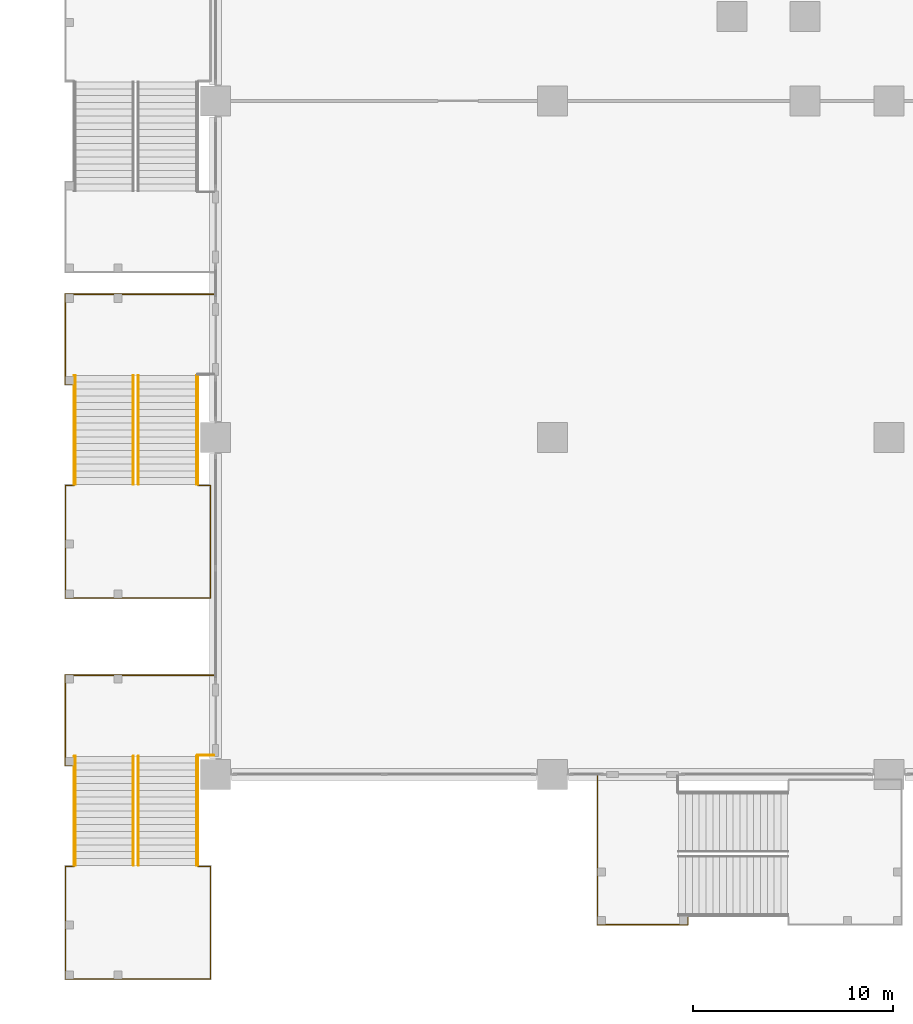
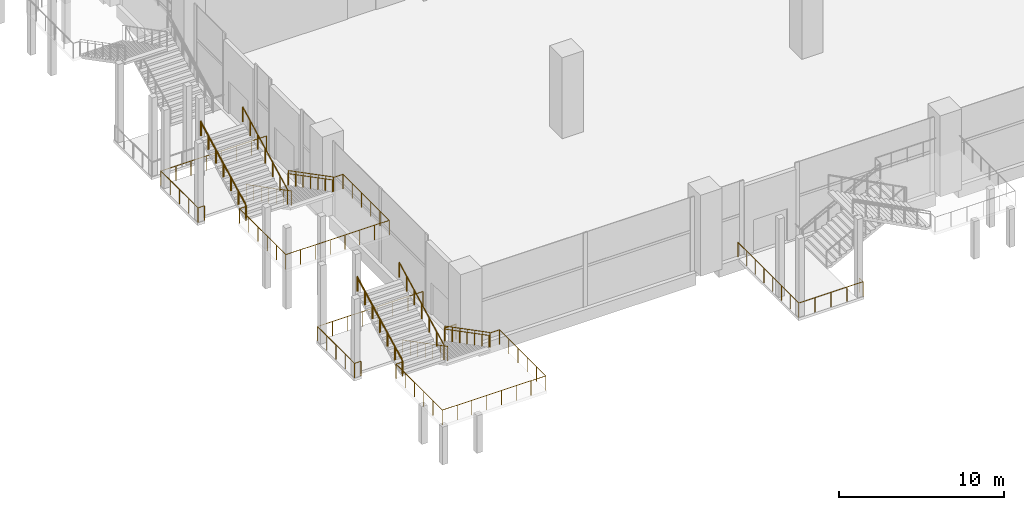
# One storey, part 35 of 49: 18 railings.
"""IFC4 building model written with IfcOpenShell, lengths in metres."""

from ifc_helpers import new_model, si_unit, direction, frame, origin, origin_2d, place, context, subcontext, project, spatial, circle, extrude, material, type_object, element, save


model = new_model("IFC4")

# Units and contexts
model_context = context("Model", 3, precision=1e-05, world=origin(), true_north=direction((0.0, 1.0)))
body_context = subcontext(model_context, "Body", "Model", "MODEL_VIEW")
ifc_project = project(units=[si_unit("LENGTHUNIT", "METRE"), si_unit("AREAUNIT", "SQUARE_METRE"), si_unit("VOLUMEUNIT", "CUBIC_METRE"), si_unit("PLANEANGLEUNIT", "RADIAN"), si_unit("MASSUNIT", "GRAM", prefix="KILO")], contexts=[model_context])

# Site, building, storey
site_placement = place(None, origin())
site = spatial("IfcSite", under=ifc_project, at=site_placement, CompositionType="ELEMENT")
building_placement = place(site_placement, origin())
building = spatial("IfcBuilding", under=site, at=building_placement, Name="Candeia Pilgrim Tower and Theatre", CompositionType="ELEMENT")
storey_placement = place(building_placement, frame((0.0, 0.0, 17.0)))
storey = spatial("IfcBuildingStorey", under=building, at=storey_placement, Name="L02", CompositionType="ELEMENT", Elevation=17.0)

# Railings
ifc_material_1 = material(Name="Stainless steel balustrade", Category="steel")
railing_type_1 = type_object("IfcRailingType", Name="RL-GUARD-1100", PredefinedType="GUARDRAIL", material=ifc_material_1)
railing_1_placement = place(storey_placement, frame((77.85009765625, 64.300048828125, 0.0)))
element("IfcRailing", 1, at=railing_1_placement, inside=storey, type_object=railing_type_1, Name="L02 External escape stair ES8 landing guard", PredefinedType="GUARDRAIL", context=body_context, shape_type="SweptSolid", body=[
    extrude(circle(Radius=0.02392578125, at=origin_2d()), frame((0.0, 0.0, 1.076171875), z_axis=(0.0, -1.0, 0.0), x_axis=(1.0, 0.0, 0.0)), (0.0, 0.0, 1.0), 7.400146484375),
    extrude(circle(Radius=0.02392578125, at=origin_2d()), frame((0.0, -7.400146484375, 1.076171875), z_axis=(1.0, 0.0, 0.0), x_axis=(0.0, 1.0, 0.0)), (0.0, 0.0, 1.0), 4.5),
    extrude(circle(Radius=0.02392578125, at=origin_2d()), frame((4.5, -7.400146484375, 1.076171875), z_axis=(0.0, 1.0, 0.0), x_axis=(-1.0, 0.0, 0.0)), (0.0, 0.0, 1.0), 0.4501953125),
    extrude(circle(Radius=0.02099609375, at=origin_2d()), origin(), (0.0, 0.0, 1.0), 1.052001953125),
    extrude(circle(Radius=0.02099609375, at=origin_2d()), frame((0.0, -1.05712890625, 0.0)), (0.0, 0.0, 1.0), 1.052001953125),
    extrude(circle(Radius=0.02099609375, at=origin_2d()), frame((0.0, -2.1142578125, 0.0)), (0.0, 0.0, 1.0), 1.052001953125),
    extrude(circle(Radius=0.02099609375, at=origin_2d()), frame((0.0, -3.17138671875, 0.0)), (0.0, 0.0, 1.0), 1.052001953125),
    extrude(circle(Radius=0.02099609375, at=origin_2d()), frame((0.0, -4.228759765625, 0.0)), (0.0, 0.0, 1.0), 1.052001953125),
    extrude(circle(Radius=0.02099609375, at=origin_2d()), frame((0.0, -5.285888671875, 0.0)), (0.0, 0.0, 1.0), 1.052001953125),
    extrude(circle(Radius=0.02099609375, at=origin_2d()), frame((0.0, -6.343017578125, 0.0)), (0.0, 0.0, 1.0), 1.052001953125),
    extrude(circle(Radius=0.02099609375, at=origin_2d()), frame((0.0, -7.400146484375, 0.0)), (0.0, 0.0, 1.0), 1.052001953125),
    extrude(circle(Radius=0.02099609375, at=origin_2d()), frame((1.125, -7.400146484375, 0.0)), (0.0, 0.0, 1.0), 1.052001953125),
    extrude(circle(Radius=0.02099609375, at=origin_2d()), frame((2.25, -7.400146484375, 0.0)), (0.0, 0.0, 1.0), 1.052001953125),
    extrude(circle(Radius=0.02099609375, at=origin_2d()), frame((3.375, -7.400146484375, 0.0)), (0.0, 0.0, 1.0), 1.052001953125),
    extrude(circle(Radius=0.02099609375, at=origin_2d()), frame((4.5, -7.400146484375, 0.0)), (0.0, 0.0, 1.0), 1.052001953125),
    extrude(circle(Radius=0.02099609375, at=origin_2d()), frame((4.5, -6.949951171875, 0.0)), (0.0, 0.0, 1.0), 1.052001953125),
])
railing_2_placement = place(storey_placement, frame((54.949951171875, 65.300048828125, 0.176513671875)))
element("IfcRailing", 2, at=railing_2_placement, inside=storey, type_object=railing_type_1, Name="L02 ES10 stair guard 1", PredefinedType="GUARDRAIL", context=body_context, shape_type="SweptSolid", body=[
    extrude(circle(Radius=0.02392578125, at=origin_2d()), frame((0.0, 0.0, 1.076171875), z_axis=(0.0, -0.887569374008, 0.460674078198), x_axis=(1.0, 0.0, 0.0)), (0.0, 0.0, 1.0), 6.129150390625),
    extrude(circle(Radius=0.02099609375, at=origin_2d()), origin(), (0.0, 0.0, 1.0), 1.052001953125),
    extrude(circle(Radius=0.02099609375, at=origin_2d()), frame((0.0, -0.90673828125, 0.470703125)), (0.0, 0.0, 1.0), 1.052001953125),
    extrude(circle(Radius=0.02099609375, at=origin_2d()), frame((0.0, -1.813232421875, 0.941162109375)), (0.0, 0.0, 1.0), 1.052001953125),
    extrude(circle(Radius=0.02099609375, at=origin_2d()), frame((0.0, -2.719970703125, 1.41162109375)), (0.0, 0.0, 1.0), 1.052001953125),
    extrude(circle(Radius=0.02099609375, at=origin_2d()), frame((0.0, -3.626708984375, 1.88232421875)), (0.0, 0.0, 1.0), 1.052001953125),
    extrude(circle(Radius=0.02099609375, at=origin_2d()), frame((0.0, -4.533203125, 2.35302734375)), (0.0, 0.0, 1.0), 1.052001953125),
    extrude(circle(Radius=0.02099609375, at=origin_2d()), frame((0.0, -5.43994140625, 2.823486328125)), (0.0, 0.0, 1.0), 1.052001953125),
])
railing_3_placement = place(storey_placement, frame((54.699951171875, 59.860107421875, 3.176513671875)))
element("IfcRailing", 3, at=railing_3_placement, inside=storey, type_object=railing_type_1, Name="L02 ES10 stair guard 2", PredefinedType="GUARDRAIL", context=body_context, shape_type="SweptSolid", body=[
    extrude(circle(Radius=0.02392578125, at=origin_2d()), frame((0.0, 0.0, 1.076171875), z_axis=(0.0, 0.887569374008, 0.460674078198), x_axis=(-1.0, 0.0, 0.0)), (0.0, 0.0, 1.0), 6.129150390625),
    extrude(circle(Radius=0.02099609375, at=origin_2d()), origin(), (0.0, 0.0, 1.0), 1.052001953125),
    extrude(circle(Radius=0.02099609375, at=origin_2d()), frame((0.0, 0.90673828125, 0.470703125)), (0.0, 0.0, 1.0), 1.052001953125),
    extrude(circle(Radius=0.02099609375, at=origin_2d()), frame((0.0, 1.813232421875, 0.941162109375)), (0.0, 0.0, 1.0), 1.052001953125),
    extrude(circle(Radius=0.02099609375, at=origin_2d()), frame((0.0, 2.719970703125, 1.41162109375)), (0.0, 0.0, 1.0), 1.052001953125),
    extrude(circle(Radius=0.02099609375, at=origin_2d()), frame((0.0, 3.626708984375, 1.88232421875)), (0.0, 0.0, 1.0), 1.052001953125),
    extrude(circle(Radius=0.02099609375, at=origin_2d()), frame((0.0, 4.533203125, 2.35302734375)), (0.0, 0.0, 1.0), 1.052001953125),
    extrude(circle(Radius=0.02099609375, at=origin_2d()), frame((0.0, 5.43994140625, 2.823486328125)), (0.0, 0.0, 1.0), 1.052001953125),
])
railing_4_placement = place(storey_placement, frame((57.89990234375, 65.300048828125, 0.176513671875)))
element("IfcRailing", 4, at=railing_4_placement, inside=storey, type_object=railing_type_1, Name="L02 ES10 stair guard 3", PredefinedType="GUARDRAIL", context=body_context, shape_type="SweptSolid", body=[
    extrude(circle(Radius=0.02392578125, at=origin_2d()), frame((0.0, 0.0, 1.076171875), z_axis=(0.0, -0.887569374008, 0.460674078198), x_axis=(1.0, 0.0, 0.0)), (0.0, 0.0, 1.0), 6.129150390625),
    extrude(circle(Radius=0.02099609375, at=origin_2d()), origin(), (0.0, 0.0, 1.0), 1.052001953125),
    extrude(circle(Radius=0.02099609375, at=origin_2d()), frame((0.0, -0.90673828125, 0.470703125)), (0.0, 0.0, 1.0), 1.052001953125),
    extrude(circle(Radius=0.02099609375, at=origin_2d()), frame((0.0, -1.813232421875, 0.941162109375)), (0.0, 0.0, 1.0), 1.052001953125),
    extrude(circle(Radius=0.02099609375, at=origin_2d()), frame((0.0, -2.719970703125, 1.41162109375)), (0.0, 0.0, 1.0), 1.052001953125),
    extrude(circle(Radius=0.02099609375, at=origin_2d()), frame((0.0, -3.626708984375, 1.88232421875)), (0.0, 0.0, 1.0), 1.052001953125),
    extrude(circle(Radius=0.02099609375, at=origin_2d()), frame((0.0, -4.533203125, 2.35302734375)), (0.0, 0.0, 1.0), 1.052001953125),
    extrude(circle(Radius=0.02099609375, at=origin_2d()), frame((0.0, -5.43994140625, 2.823486328125)), (0.0, 0.0, 1.0), 1.052001953125),
])
railing_5_placement = place(storey_placement, frame((51.75, 59.860107421875, 3.176513671875)))
element("IfcRailing", 5, at=railing_5_placement, inside=storey, type_object=railing_type_1, Name="L02 ES10 stair guard 4", PredefinedType="GUARDRAIL", context=body_context, shape_type="SweptSolid", body=[
    extrude(circle(Radius=0.02392578125, at=origin_2d()), frame((0.0, 0.0, 1.076171875), z_axis=(0.0, 0.887569374008, 0.460674078198), x_axis=(-1.0, 0.0, 0.0)), (0.0, 0.0, 1.0), 6.129150390625),
    extrude(circle(Radius=0.02099609375, at=origin_2d()), origin(), (0.0, 0.0, 1.0), 1.052001953125),
    extrude(circle(Radius=0.02099609375, at=origin_2d()), frame((0.0, 0.90673828125, 0.470703125)), (0.0, 0.0, 1.0), 1.052001953125),
    extrude(circle(Radius=0.02099609375, at=origin_2d()), frame((0.0, 1.813232421875, 0.941162109375)), (0.0, 0.0, 1.0), 1.052001953125),
    extrude(circle(Radius=0.02099609375, at=origin_2d()), frame((0.0, 2.719970703125, 1.41162109375)), (0.0, 0.0, 1.0), 1.052001953125),
    extrude(circle(Radius=0.02099609375, at=origin_2d()), frame((0.0, 3.626708984375, 1.88232421875)), (0.0, 0.0, 1.0), 1.052001953125),
    extrude(circle(Radius=0.02099609375, at=origin_2d()), frame((0.0, 4.533203125, 2.35302734375)), (0.0, 0.0, 1.0), 1.052001953125),
    extrude(circle(Radius=0.02099609375, at=origin_2d()), frame((0.0, 5.43994140625, 2.823486328125)), (0.0, 0.0, 1.0), 1.052001953125),
])
railing_6_placement = place(storey_placement, frame((57.89990234375, 59.81005859375, 3.0)))
element("IfcRailing", 6, at=railing_6_placement, inside=storey, type_object=railing_type_1, Name="L02 ES10 stair guard 5", PredefinedType="GUARDRAIL", context=body_context, shape_type="SweptSolid", body=[
    extrude(circle(Radius=0.02392578125, at=origin_2d()), frame((0.0, 0.0, 1.076171875), z_axis=(1.0, 0.0, 0.0), x_axis=(0.0, 1.0, 0.0)), (0.0, 0.0, 1.0), 0.650146484375),
    extrude(circle(Radius=0.02392578125, at=origin_2d()), frame((0.650146484375, 0.0, 1.076171875), z_axis=(0.0, -1.0, 0.0), x_axis=(1.0, 0.0, 0.0)), (0.0, 0.0, 1.0), 5.6201171875),
    extrude(circle(Radius=0.02392578125, at=origin_2d()), frame((0.650146484375, -5.6201171875, 1.076171875), z_axis=(-1.0, 0.0, 0.0), x_axis=(0.0, -1.0, 0.0)), (0.0, 0.0, 1.0), 7.25),
    extrude(circle(Radius=0.02392578125, at=origin_2d()), frame((-6.599853515625, -5.6201171875, 1.076171875), z_axis=(0.0, 1.0, 0.0), x_axis=(-1.0, 0.0, 0.0)), (0.0, 0.0, 1.0), 5.6201171875),
    extrude(circle(Radius=0.02392578125, at=origin_2d()), frame((-6.599853515625, 0.0, 1.076171875), z_axis=(1.0, 0.0, 0.0), x_axis=(0.0, 1.0, 0.0)), (0.0, 0.0, 1.0), 0.449951171875),
    extrude(circle(Radius=0.02099609375, at=origin_2d()), origin(), (0.0, 0.0, 1.0), 1.052001953125),
    extrude(circle(Radius=0.02099609375, at=origin_2d()), frame((0.650146484375, 0.0, 0.0)), (0.0, 0.0, 1.0), 1.052001953125),
    extrude(circle(Radius=0.02099609375, at=origin_2d()), frame((0.650146484375, -1.1240234375, 0.0)), (0.0, 0.0, 1.0), 1.052001953125),
    extrude(circle(Radius=0.02099609375, at=origin_2d()), frame((0.650146484375, -2.248046875, 0.0)), (0.0, 0.0, 1.0), 1.052001953125),
    extrude(circle(Radius=0.02099609375, at=origin_2d()), frame((0.650146484375, -3.3720703125, 0.0)), (0.0, 0.0, 1.0), 1.052001953125),
    extrude(circle(Radius=0.02099609375, at=origin_2d()), frame((0.650146484375, -4.49609375, 0.0)), (0.0, 0.0, 1.0), 1.052001953125),
    extrude(circle(Radius=0.02099609375, at=origin_2d()), frame((0.650146484375, -5.6201171875, 0.0)), (0.0, 0.0, 1.0), 1.052001953125),
    extrude(circle(Radius=0.02099609375, at=origin_2d()), frame((-0.385498046875, -5.6201171875, 0.0)), (0.0, 0.0, 1.0), 1.052001953125),
    extrude(circle(Radius=0.02099609375, at=origin_2d()), frame((-1.42138671875, -5.6201171875, 0.0)), (0.0, 0.0, 1.0), 1.052001953125),
    extrude(circle(Radius=0.02099609375, at=origin_2d()), frame((-2.45703125, -5.6201171875, 0.0)), (0.0, 0.0, 1.0), 1.052001953125),
    extrude(circle(Radius=0.02099609375, at=origin_2d()), frame((-3.49267578125, -5.6201171875, 0.0)), (0.0, 0.0, 1.0), 1.052001953125),
    extrude(circle(Radius=0.02099609375, at=origin_2d()), frame((-4.5283203125, -5.6201171875, 0.0)), (0.0, 0.0, 1.0), 1.052001953125),
    extrude(circle(Radius=0.02099609375, at=origin_2d()), frame((-5.564208984375, -5.6201171875, 0.0)), (0.0, 0.0, 1.0), 1.052001953125),
    extrude(circle(Radius=0.02099609375, at=origin_2d()), frame((-6.599853515625, -5.6201171875, 0.0)), (0.0, 0.0, 1.0), 1.052001953125),
    extrude(circle(Radius=0.02099609375, at=origin_2d()), frame((-6.599853515625, -4.49609375, 0.0)), (0.0, 0.0, 1.0), 1.052001953125),
    extrude(circle(Radius=0.02099609375, at=origin_2d()), frame((-6.599853515625, -3.3720703125, 0.0)), (0.0, 0.0, 1.0), 1.052001953125),
    extrude(circle(Radius=0.02099609375, at=origin_2d()), frame((-6.599853515625, -2.248046875, 0.0)), (0.0, 0.0, 1.0), 1.052001953125),
    extrude(circle(Radius=0.02099609375, at=origin_2d()), frame((-6.599853515625, -1.1240234375, 0.0)), (0.0, 0.0, 1.0), 1.052001953125),
    extrude(circle(Radius=0.02099609375, at=origin_2d()), frame((-6.599853515625, 0.0, 0.0)), (0.0, 0.0, 1.0), 1.052001953125),
    extrude(circle(Radius=0.02099609375, at=origin_2d()), frame((-6.14990234375, 0.0, 0.0)), (0.0, 0.0, 1.0), 1.052001953125),
])
railing_7_placement = place(storey_placement, frame((58.699951171875, 69.35009765625, 0.0)))
element("IfcRailing", 7, at=railing_7_placement, inside=storey, type_object=railing_type_1, Name="L02 External escape stair ES10 landing guard", PredefinedType="GUARDRAIL", context=body_context, shape_type="SweptSolid", body=[
    extrude(circle(Radius=0.02392578125, at=origin_2d()), frame((0.0, 0.0, 1.076171875), z_axis=(-1.0, 0.0, 0.0), x_axis=(0.0, -1.0, 0.0)), (0.0, 0.0, 1.0), 7.39990234375),
    extrude(circle(Radius=0.02392578125, at=origin_2d()), frame((-7.39990234375, 0.0, 1.076171875), z_axis=(0.0, -1.0, 0.0), x_axis=(1.0, 0.0, 0.0)), (0.0, 0.0, 1.0), 4.5),
    extrude(circle(Radius=0.02392578125, at=origin_2d()), frame((-7.39990234375, -4.5, 1.076171875), z_axis=(1.0, 0.0, 0.0), x_axis=(0.0, 1.0, 0.0)), (0.0, 0.0, 1.0), 0.449951171875),
    extrude(circle(Radius=0.02099609375, at=origin_2d()), origin(), (0.0, 0.0, 1.0), 1.052001953125),
    extrude(circle(Radius=0.02099609375, at=origin_2d()), frame((-1.05712890625, 0.0, 0.0)), (0.0, 0.0, 1.0), 1.052001953125),
    extrude(circle(Radius=0.02099609375, at=origin_2d()), frame((-2.1142578125, 0.0, 0.0)), (0.0, 0.0, 1.0), 1.052001953125),
    extrude(circle(Radius=0.02099609375, at=origin_2d()), frame((-3.17138671875, 0.0, 0.0)), (0.0, 0.0, 1.0), 1.052001953125),
    extrude(circle(Radius=0.02099609375, at=origin_2d()), frame((-4.228515625, 0.0, 0.0)), (0.0, 0.0, 1.0), 1.052001953125),
    extrude(circle(Radius=0.02099609375, at=origin_2d()), frame((-5.28564453125, 0.0, 0.0)), (0.0, 0.0, 1.0), 1.052001953125),
    extrude(circle(Radius=0.02099609375, at=origin_2d()), frame((-6.3427734375, 0.0, 0.0)), (0.0, 0.0, 1.0), 1.052001953125),
    extrude(circle(Radius=0.02099609375, at=origin_2d()), frame((-7.39990234375, 0.0, 0.0)), (0.0, 0.0, 1.0), 1.052001953125),
    extrude(circle(Radius=0.02099609375, at=origin_2d()), frame((-7.39990234375, -1.125, 0.0)), (0.0, 0.0, 1.0), 1.052001953125),
    extrude(circle(Radius=0.02099609375, at=origin_2d()), frame((-7.39990234375, -2.25, 0.0)), (0.0, 0.0, 1.0), 1.052001953125),
    extrude(circle(Radius=0.02099609375, at=origin_2d()), frame((-7.39990234375, -3.375, 0.0)), (0.0, 0.0, 1.0), 1.052001953125),
    extrude(circle(Radius=0.02099609375, at=origin_2d()), frame((-7.39990234375, -4.5, 0.0)), (0.0, 0.0, 1.0), 1.052001953125),
    extrude(circle(Radius=0.02099609375, at=origin_2d()), frame((-6.949951171875, -4.5, 0.0)), (0.0, 0.0, 1.0), 1.052001953125),
])
railing_8_placement = place(storey_placement, frame((58.699951171875, 65.35009765625, 0.0)))
element("IfcRailing", 8, at=railing_8_placement, inside=storey, type_object=railing_type_1, Name="L02 External escape stair ES10 bridge guard", PredefinedType="GUARDRAIL", context=body_context, shape_type="SweptSolid", body=[
    extrude(circle(Radius=0.02392578125, at=origin_2d()), frame((0.0, 0.0, 1.076171875), z_axis=(-1.0, 0.0, 0.0), x_axis=(0.0, -1.0, 0.0)), (0.0, 0.0, 1.0), 0.800048828125),
    extrude(circle(Radius=0.02099609375, at=origin_2d()), origin(), (0.0, 0.0, 1.0), 1.052001953125),
    extrude(circle(Radius=0.02099609375, at=origin_2d()), frame((-0.800048828125, 0.0, 0.0)), (0.0, 0.0, 1.0), 1.052001953125),
])
railing_9_placement = place(storey_placement, frame((54.949951171875, 84.300048828125, 0.176513671875)))
element("IfcRailing", 9, at=railing_9_placement, inside=storey, type_object=railing_type_1, Name="L02 ES11 stair guard 1", PredefinedType="GUARDRAIL", context=body_context, shape_type="SweptSolid", body=[
    extrude(circle(Radius=0.02392578125, at=origin_2d()), frame((0.0, 0.0, 1.076171875), z_axis=(0.0, -0.887569374008, 0.460674078198), x_axis=(1.0, 0.0, 0.0)), (0.0, 0.0, 1.0), 6.129150390625),
    extrude(circle(Radius=0.02099609375, at=origin_2d()), origin(), (0.0, 0.0, 1.0), 1.052001953125),
    extrude(circle(Radius=0.02099609375, at=origin_2d()), frame((0.0, -0.90673828125, 0.470703125)), (0.0, 0.0, 1.0), 1.052001953125),
    extrude(circle(Radius=0.02099609375, at=origin_2d()), frame((0.0, -1.813232421875, 0.941162109375)), (0.0, 0.0, 1.0), 1.052001953125),
    extrude(circle(Radius=0.02099609375, at=origin_2d()), frame((0.0, -2.719970703125, 1.41162109375)), (0.0, 0.0, 1.0), 1.052001953125),
    extrude(circle(Radius=0.02099609375, at=origin_2d()), frame((0.0, -3.626708984375, 1.88232421875)), (0.0, 0.0, 1.0), 1.052001953125),
    extrude(circle(Radius=0.02099609375, at=origin_2d()), frame((0.0, -4.533203125, 2.35302734375)), (0.0, 0.0, 1.0), 1.052001953125),
    extrude(circle(Radius=0.02099609375, at=origin_2d()), frame((0.0, -5.43994140625, 2.823486328125)), (0.0, 0.0, 1.0), 1.052001953125),
])
railing_10_placement = place(storey_placement, frame((54.699951171875, 78.860107421875, 3.176513671875)))
element("IfcRailing", 10, at=railing_10_placement, inside=storey, type_object=railing_type_1, Name="L02 ES11 stair guard 2", PredefinedType="GUARDRAIL", context=body_context, shape_type="SweptSolid", body=[
    extrude(circle(Radius=0.02392578125, at=origin_2d()), frame((0.0, 0.0, 1.076171875), z_axis=(0.0, 0.887569374008, 0.460674078198), x_axis=(-1.0, 0.0, 0.0)), (0.0, 0.0, 1.0), 6.129150390625),
    extrude(circle(Radius=0.02099609375, at=origin_2d()), origin(), (0.0, 0.0, 1.0), 1.052001953125),
    extrude(circle(Radius=0.02099609375, at=origin_2d()), frame((0.0, 0.90673828125, 0.470703125)), (0.0, 0.0, 1.0), 1.052001953125),
    extrude(circle(Radius=0.02099609375, at=origin_2d()), frame((0.0, 1.813232421875, 0.941162109375)), (0.0, 0.0, 1.0), 1.052001953125),
    extrude(circle(Radius=0.02099609375, at=origin_2d()), frame((0.0, 2.719970703125, 1.41162109375)), (0.0, 0.0, 1.0), 1.052001953125),
    extrude(circle(Radius=0.02099609375, at=origin_2d()), frame((0.0, 3.626708984375, 1.88232421875)), (0.0, 0.0, 1.0), 1.052001953125),
    extrude(circle(Radius=0.02099609375, at=origin_2d()), frame((0.0, 4.533203125, 2.35302734375)), (0.0, 0.0, 1.0), 1.052001953125),
    extrude(circle(Radius=0.02099609375, at=origin_2d()), frame((0.0, 5.43994140625, 2.823486328125)), (0.0, 0.0, 1.0), 1.052001953125),
])
railing_11_placement = place(storey_placement, frame((57.89990234375, 84.300048828125, 0.176513671875)))
element("IfcRailing", 11, at=railing_11_placement, inside=storey, type_object=railing_type_1, Name="L02 ES11 stair guard 3", PredefinedType="GUARDRAIL", context=body_context, shape_type="SweptSolid", body=[
    extrude(circle(Radius=0.02392578125, at=origin_2d()), frame((0.0, 0.0, 1.076171875), z_axis=(0.0, -0.887569374008, 0.460674078198), x_axis=(1.0, 0.0, 0.0)), (0.0, 0.0, 1.0), 6.129150390625),
    extrude(circle(Radius=0.02099609375, at=origin_2d()), origin(), (0.0, 0.0, 1.0), 1.052001953125),
    extrude(circle(Radius=0.02099609375, at=origin_2d()), frame((0.0, -0.90673828125, 0.470703125)), (0.0, 0.0, 1.0), 1.052001953125),
    extrude(circle(Radius=0.02099609375, at=origin_2d()), frame((0.0, -1.813232421875, 0.941162109375)), (0.0, 0.0, 1.0), 1.052001953125),
    extrude(circle(Radius=0.02099609375, at=origin_2d()), frame((0.0, -2.719970703125, 1.41162109375)), (0.0, 0.0, 1.0), 1.052001953125),
    extrude(circle(Radius=0.02099609375, at=origin_2d()), frame((0.0, -3.626708984375, 1.88232421875)), (0.0, 0.0, 1.0), 1.052001953125),
    extrude(circle(Radius=0.02099609375, at=origin_2d()), frame((0.0, -4.533203125, 2.35302734375)), (0.0, 0.0, 1.0), 1.052001953125),
    extrude(circle(Radius=0.02099609375, at=origin_2d()), frame((0.0, -5.43994140625, 2.823486328125)), (0.0, 0.0, 1.0), 1.052001953125),
])
railing_12_placement = place(storey_placement, frame((51.75, 78.860107421875, 3.176513671875)))
element("IfcRailing", 12, at=railing_12_placement, inside=storey, type_object=railing_type_1, Name="L02 ES11 stair guard 4", PredefinedType="GUARDRAIL", context=body_context, shape_type="SweptSolid", body=[
    extrude(circle(Radius=0.02392578125, at=origin_2d()), frame((0.0, 0.0, 1.076171875), z_axis=(0.0, 0.887569374008, 0.460674078198), x_axis=(-1.0, 0.0, 0.0)), (0.0, 0.0, 1.0), 6.129150390625),
    extrude(circle(Radius=0.02099609375, at=origin_2d()), origin(), (0.0, 0.0, 1.0), 1.052001953125),
    extrude(circle(Radius=0.02099609375, at=origin_2d()), frame((0.0, 0.90673828125, 0.470703125)), (0.0, 0.0, 1.0), 1.052001953125),
    extrude(circle(Radius=0.02099609375, at=origin_2d()), frame((0.0, 1.813232421875, 0.941162109375)), (0.0, 0.0, 1.0), 1.052001953125),
    extrude(circle(Radius=0.02099609375, at=origin_2d()), frame((0.0, 2.719970703125, 1.41162109375)), (0.0, 0.0, 1.0), 1.052001953125),
    extrude(circle(Radius=0.02099609375, at=origin_2d()), frame((0.0, 3.626708984375, 1.88232421875)), (0.0, 0.0, 1.0), 1.052001953125),
    extrude(circle(Radius=0.02099609375, at=origin_2d()), frame((0.0, 4.533203125, 2.35302734375)), (0.0, 0.0, 1.0), 1.052001953125),
    extrude(circle(Radius=0.02099609375, at=origin_2d()), frame((0.0, 5.43994140625, 2.823486328125)), (0.0, 0.0, 1.0), 1.052001953125),
])
railing_13_placement = place(storey_placement, frame((57.89990234375, 78.81005859375, 3.0)))
element("IfcRailing", 13, at=railing_13_placement, inside=storey, type_object=railing_type_1, Name="L02 ES11 stair guard 5", PredefinedType="GUARDRAIL", context=body_context, shape_type="SweptSolid", body=[
    extrude(circle(Radius=0.02392578125, at=origin_2d()), frame((0.0, 0.0, 1.076171875), z_axis=(1.0, 0.0, 0.0), x_axis=(0.0, 1.0, 0.0)), (0.0, 0.0, 1.0), 0.650146484375),
    extrude(circle(Radius=0.02392578125, at=origin_2d()), frame((0.650146484375, 0.0, 1.076171875), z_axis=(0.0, -1.0, 0.0), x_axis=(1.0, 0.0, 0.0)), (0.0, 0.0, 1.0), 5.6201171875),
    extrude(circle(Radius=0.02392578125, at=origin_2d()), frame((0.650146484375, -5.6201171875, 1.076171875), z_axis=(-1.0, 0.0, 0.0), x_axis=(0.0, -1.0, 0.0)), (0.0, 0.0, 1.0), 7.25),
    extrude(circle(Radius=0.02392578125, at=origin_2d()), frame((-6.599853515625, -5.6201171875, 1.076171875), z_axis=(0.0, 1.0, 0.0), x_axis=(-1.0, 0.0, 0.0)), (0.0, 0.0, 1.0), 5.6201171875),
    extrude(circle(Radius=0.02392578125, at=origin_2d()), frame((-6.599853515625, 0.0, 1.076171875), z_axis=(1.0, 0.0, 0.0), x_axis=(0.0, 1.0, 0.0)), (0.0, 0.0, 1.0), 0.449951171875),
    extrude(circle(Radius=0.02099609375, at=origin_2d()), origin(), (0.0, 0.0, 1.0), 1.052001953125),
    extrude(circle(Radius=0.02099609375, at=origin_2d()), frame((0.650146484375, 0.0, 0.0)), (0.0, 0.0, 1.0), 1.052001953125),
    extrude(circle(Radius=0.02099609375, at=origin_2d()), frame((0.650146484375, -1.1240234375, 0.0)), (0.0, 0.0, 1.0), 1.052001953125),
    extrude(circle(Radius=0.02099609375, at=origin_2d()), frame((0.650146484375, -2.248046875, 0.0)), (0.0, 0.0, 1.0), 1.052001953125),
    extrude(circle(Radius=0.02099609375, at=origin_2d()), frame((0.650146484375, -3.3720703125, 0.0)), (0.0, 0.0, 1.0), 1.052001953125),
    extrude(circle(Radius=0.02099609375, at=origin_2d()), frame((0.650146484375, -4.49609375, 0.0)), (0.0, 0.0, 1.0), 1.052001953125),
    extrude(circle(Radius=0.02099609375, at=origin_2d()), frame((0.650146484375, -5.6201171875, 0.0)), (0.0, 0.0, 1.0), 1.052001953125),
    extrude(circle(Radius=0.02099609375, at=origin_2d()), frame((-0.385498046875, -5.6201171875, 0.0)), (0.0, 0.0, 1.0), 1.052001953125),
    extrude(circle(Radius=0.02099609375, at=origin_2d()), frame((-1.42138671875, -5.6201171875, 0.0)), (0.0, 0.0, 1.0), 1.052001953125),
    extrude(circle(Radius=0.02099609375, at=origin_2d()), frame((-2.45703125, -5.6201171875, 0.0)), (0.0, 0.0, 1.0), 1.052001953125),
    extrude(circle(Radius=0.02099609375, at=origin_2d()), frame((-3.49267578125, -5.6201171875, 0.0)), (0.0, 0.0, 1.0), 1.052001953125),
    extrude(circle(Radius=0.02099609375, at=origin_2d()), frame((-4.5283203125, -5.6201171875, 0.0)), (0.0, 0.0, 1.0), 1.052001953125),
    extrude(circle(Radius=0.02099609375, at=origin_2d()), frame((-5.564208984375, -5.6201171875, 0.0)), (0.0, 0.0, 1.0), 1.052001953125),
    extrude(circle(Radius=0.02099609375, at=origin_2d()), frame((-6.599853515625, -5.6201171875, 0.0)), (0.0, 0.0, 1.0), 1.052001953125),
    extrude(circle(Radius=0.02099609375, at=origin_2d()), frame((-6.599853515625, -4.49609375, 0.0)), (0.0, 0.0, 1.0), 1.052001953125),
    extrude(circle(Radius=0.02099609375, at=origin_2d()), frame((-6.599853515625, -3.3720703125, 0.0)), (0.0, 0.0, 1.0), 1.052001953125),
    extrude(circle(Radius=0.02099609375, at=origin_2d()), frame((-6.599853515625, -2.248046875, 0.0)), (0.0, 0.0, 1.0), 1.052001953125),
    extrude(circle(Radius=0.02099609375, at=origin_2d()), frame((-6.599853515625, -1.1240234375, 0.0)), (0.0, 0.0, 1.0), 1.052001953125),
    extrude(circle(Radius=0.02099609375, at=origin_2d()), frame((-6.599853515625, 0.0, 0.0)), (0.0, 0.0, 1.0), 1.052001953125),
    extrude(circle(Radius=0.02099609375, at=origin_2d()), frame((-6.14990234375, 0.0, 0.0)), (0.0, 0.0, 1.0), 1.052001953125),
])
railing_14_placement = place(storey_placement, frame((58.699951171875, 88.35009765625, 0.0)))
element("IfcRailing", 14, at=railing_14_placement, inside=storey, type_object=railing_type_1, Name="L02 External escape stair ES11 landing guard", PredefinedType="GUARDRAIL", context=body_context, shape_type="SweptSolid", body=[
    extrude(circle(Radius=0.02392578125, at=origin_2d()), frame((0.0, 0.0, 1.076171875), z_axis=(-1.0, 0.0, 0.0), x_axis=(0.0, -1.0, 0.0)), (0.0, 0.0, 1.0), 7.39990234375),
    extrude(circle(Radius=0.02392578125, at=origin_2d()), frame((-7.39990234375, 0.0, 1.076171875), z_axis=(0.0, -1.0, 0.0), x_axis=(1.0, 0.0, 0.0)), (0.0, 0.0, 1.0), 4.5),
    extrude(circle(Radius=0.02392578125, at=origin_2d()), frame((-7.39990234375, -4.5, 1.076171875), z_axis=(1.0, 0.0, 0.0), x_axis=(0.0, 1.0, 0.0)), (0.0, 0.0, 1.0), 0.449951171875),
    extrude(circle(Radius=0.02099609375, at=origin_2d()), origin(), (0.0, 0.0, 1.0), 1.052001953125),
    extrude(circle(Radius=0.02099609375, at=origin_2d()), frame((-1.05712890625, 0.0, 0.0)), (0.0, 0.0, 1.0), 1.052001953125),
    extrude(circle(Radius=0.02099609375, at=origin_2d()), frame((-2.1142578125, 0.0, 0.0)), (0.0, 0.0, 1.0), 1.052001953125),
    extrude(circle(Radius=0.02099609375, at=origin_2d()), frame((-3.17138671875, 0.0, 0.0)), (0.0, 0.0, 1.0), 1.052001953125),
    extrude(circle(Radius=0.02099609375, at=origin_2d()), frame((-4.228515625, 0.0, 0.0)), (0.0, 0.0, 1.0), 1.052001953125),
    extrude(circle(Radius=0.02099609375, at=origin_2d()), frame((-5.28564453125, 0.0, 0.0)), (0.0, 0.0, 1.0), 1.052001953125),
    extrude(circle(Radius=0.02099609375, at=origin_2d()), frame((-6.3427734375, 0.0, 0.0)), (0.0, 0.0, 1.0), 1.052001953125),
    extrude(circle(Radius=0.02099609375, at=origin_2d()), frame((-7.39990234375, 0.0, 0.0)), (0.0, 0.0, 1.0), 1.052001953125),
    extrude(circle(Radius=0.02099609375, at=origin_2d()), frame((-7.39990234375, -1.125, 0.0)), (0.0, 0.0, 1.0), 1.052001953125),
    extrude(circle(Radius=0.02099609375, at=origin_2d()), frame((-7.39990234375, -2.25, 0.0)), (0.0, 0.0, 1.0), 1.052001953125),
    extrude(circle(Radius=0.02099609375, at=origin_2d()), frame((-7.39990234375, -3.375, 0.0)), (0.0, 0.0, 1.0), 1.052001953125),
    extrude(circle(Radius=0.02099609375, at=origin_2d()), frame((-7.39990234375, -4.5, 0.0)), (0.0, 0.0, 1.0), 1.052001953125),
    extrude(circle(Radius=0.02099609375, at=origin_2d()), frame((-6.949951171875, -4.5, 0.0)), (0.0, 0.0, 1.0), 1.052001953125),
])
ifc_material_2 = material(Name="Stainless steel handrail", Category="steel")
railing_type_2 = type_object("IfcRailingType", Name="RL-HANDRAIL-900", PredefinedType="HANDRAIL", material=ifc_material_2)
railing_15_placement = place(storey_placement, frame((57.85009765625, 65.300048828125, 0.176513671875)))
element("IfcRailing", 15, at=railing_15_placement, inside=storey, type_object=railing_type_2, Name="L02 ES10 stair handrail 1", PredefinedType="HANDRAIL", context=body_context, shape_type="SweptSolid", body=[
    extrude(circle(Radius=0.02392578125, at=origin_2d()), frame((0.0, 0.0, 0.8759765625), z_axis=(0.0, -0.887569374008, 0.460674078198), x_axis=(1.0, 0.0, 0.0)), (0.0, 0.0, 1.0), 6.129150390625),
    extrude(circle(Radius=0.02099609375, at=origin_2d()), origin(), (0.0, 0.0, 1.0), 0.851806640625),
    extrude(circle(Radius=0.02099609375, at=origin_2d()), frame((0.0, -0.90673828125, 0.470703125)), (0.0, 0.0, 1.0), 0.851806640625),
    extrude(circle(Radius=0.02099609375, at=origin_2d()), frame((0.0, -1.813232421875, 0.941162109375)), (0.0, 0.0, 1.0), 0.851806640625),
    extrude(circle(Radius=0.02099609375, at=origin_2d()), frame((0.0, -2.719970703125, 1.41162109375)), (0.0, 0.0, 1.0), 0.851806640625),
    extrude(circle(Radius=0.02099609375, at=origin_2d()), frame((0.0, -3.626708984375, 1.88232421875)), (0.0, 0.0, 1.0), 0.851806640625),
    extrude(circle(Radius=0.02099609375, at=origin_2d()), frame((0.0, -4.533203125, 2.35302734375)), (0.0, 0.0, 1.0), 0.851806640625),
    extrude(circle(Radius=0.02099609375, at=origin_2d()), frame((0.0, -5.43994140625, 2.823486328125)), (0.0, 0.0, 1.0), 0.851806640625),
])
railing_16_placement = place(storey_placement, frame((51.800048828125, 59.860107421875, 3.176513671875)))
element("IfcRailing", 16, at=railing_16_placement, inside=storey, type_object=railing_type_2, Name="L02 ES10 stair handrail 2", PredefinedType="HANDRAIL", context=body_context, shape_type="SweptSolid", body=[
    extrude(circle(Radius=0.02392578125, at=origin_2d()), frame((0.0, 0.0, 0.8759765625), z_axis=(0.0, 0.887569374008, 0.460674078198), x_axis=(-1.0, 0.0, 0.0)), (0.0, 0.0, 1.0), 6.129150390625),
    extrude(circle(Radius=0.02099609375, at=origin_2d()), origin(), (0.0, 0.0, 1.0), 0.851806640625),
    extrude(circle(Radius=0.02099609375, at=origin_2d()), frame((0.0, 0.90673828125, 0.470703125)), (0.0, 0.0, 1.0), 0.851806640625),
    extrude(circle(Radius=0.02099609375, at=origin_2d()), frame((0.0, 1.813232421875, 0.941162109375)), (0.0, 0.0, 1.0), 0.851806640625),
    extrude(circle(Radius=0.02099609375, at=origin_2d()), frame((0.0, 2.719970703125, 1.41162109375)), (0.0, 0.0, 1.0), 0.851806640625),
    extrude(circle(Radius=0.02099609375, at=origin_2d()), frame((0.0, 3.626708984375, 1.88232421875)), (0.0, 0.0, 1.0), 0.851806640625),
    extrude(circle(Radius=0.02099609375, at=origin_2d()), frame((0.0, 4.533203125, 2.35302734375)), (0.0, 0.0, 1.0), 0.851806640625),
    extrude(circle(Radius=0.02099609375, at=origin_2d()), frame((0.0, 5.43994140625, 2.823486328125)), (0.0, 0.0, 1.0), 0.851806640625),
])
railing_17_placement = place(storey_placement, frame((57.85009765625, 84.300048828125, 0.176513671875)))
element("IfcRailing", 17, at=railing_17_placement, inside=storey, type_object=railing_type_2, Name="L02 ES11 stair handrail 1", PredefinedType="HANDRAIL", context=body_context, shape_type="SweptSolid", body=[
    extrude(circle(Radius=0.02392578125, at=origin_2d()), frame((0.0, 0.0, 0.8759765625), z_axis=(0.0, -0.887569374008, 0.460674078198), x_axis=(1.0, 0.0, 0.0)), (0.0, 0.0, 1.0), 6.129150390625),
    extrude(circle(Radius=0.02099609375, at=origin_2d()), origin(), (0.0, 0.0, 1.0), 0.851806640625),
    extrude(circle(Radius=0.02099609375, at=origin_2d()), frame((0.0, -0.90673828125, 0.470703125)), (0.0, 0.0, 1.0), 0.851806640625),
    extrude(circle(Radius=0.02099609375, at=origin_2d()), frame((0.0, -1.813232421875, 0.941162109375)), (0.0, 0.0, 1.0), 0.851806640625),
    extrude(circle(Radius=0.02099609375, at=origin_2d()), frame((0.0, -2.719970703125, 1.41162109375)), (0.0, 0.0, 1.0), 0.851806640625),
    extrude(circle(Radius=0.02099609375, at=origin_2d()), frame((0.0, -3.626708984375, 1.88232421875)), (0.0, 0.0, 1.0), 0.851806640625),
    extrude(circle(Radius=0.02099609375, at=origin_2d()), frame((0.0, -4.533203125, 2.35302734375)), (0.0, 0.0, 1.0), 0.851806640625),
    extrude(circle(Radius=0.02099609375, at=origin_2d()), frame((0.0, -5.43994140625, 2.823486328125)), (0.0, 0.0, 1.0), 0.851806640625),
])
railing_18_placement = place(storey_placement, frame((51.800048828125, 78.860107421875, 3.176513671875)))
element("IfcRailing", 18, at=railing_18_placement, inside=storey, type_object=railing_type_2, Name="L02 ES11 stair handrail 2", PredefinedType="HANDRAIL", context=body_context, shape_type="SweptSolid", body=[
    extrude(circle(Radius=0.02392578125, at=origin_2d()), frame((0.0, 0.0, 0.8759765625), z_axis=(0.0, 0.887569374008, 0.460674078198), x_axis=(-1.0, 0.0, 0.0)), (0.0, 0.0, 1.0), 6.129150390625),
    extrude(circle(Radius=0.02099609375, at=origin_2d()), origin(), (0.0, 0.0, 1.0), 0.851806640625),
    extrude(circle(Radius=0.02099609375, at=origin_2d()), frame((0.0, 0.90673828125, 0.470703125)), (0.0, 0.0, 1.0), 0.851806640625),
    extrude(circle(Radius=0.02099609375, at=origin_2d()), frame((0.0, 1.813232421875, 0.941162109375)), (0.0, 0.0, 1.0), 0.851806640625),
    extrude(circle(Radius=0.02099609375, at=origin_2d()), frame((0.0, 2.719970703125, 1.41162109375)), (0.0, 0.0, 1.0), 0.851806640625),
    extrude(circle(Radius=0.02099609375, at=origin_2d()), frame((0.0, 3.626708984375, 1.88232421875)), (0.0, 0.0, 1.0), 0.851806640625),
    extrude(circle(Radius=0.02099609375, at=origin_2d()), frame((0.0, 4.533203125, 2.35302734375)), (0.0, 0.0, 1.0), 0.851806640625),
    extrude(circle(Radius=0.02099609375, at=origin_2d()), frame((0.0, 5.43994140625, 2.823486328125)), (0.0, 0.0, 1.0), 0.851806640625),
])

save(model, "model.ifc")
